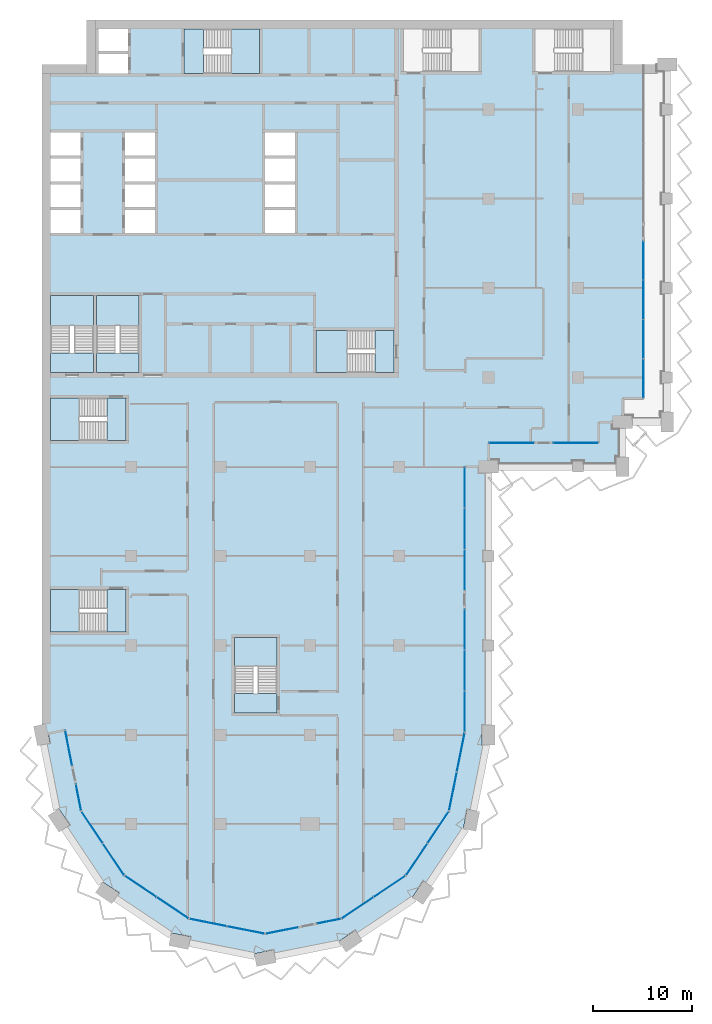
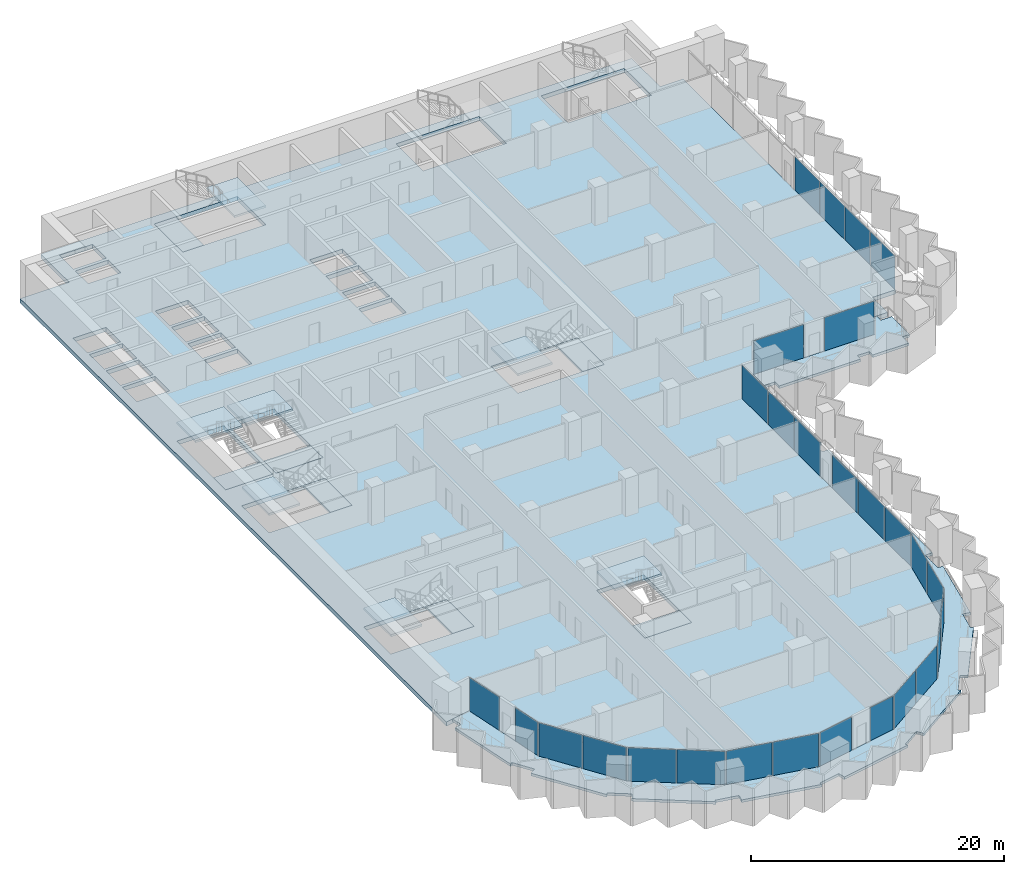
# One storey, part 6 of 22: 28 plates, 17 slabs, 22 elements without a shape of their own.
"""IFC4 building model written with IfcOpenShell, lengths in metres."""

from ifc_helpers import new_model, si_unit, direction, frame, origin, origin_2d, place, context, subcontext, project, spatial, polyline, rectangle, outline, extrude, material, layer, layer_set, type_object, element, aggregate, save


model = new_model("IFC4")

# Units and contexts
model_context = context("Model", 3, precision=1e-05, world=origin(), true_north=direction((0.0, 1.0)))
body_context = subcontext(model_context, "Body", "Model", "MODEL_VIEW")
ifc_project = project(units=[si_unit("LENGTHUNIT", "METRE"), si_unit("AREAUNIT", "SQUARE_METRE"), si_unit("VOLUMEUNIT", "CUBIC_METRE"), si_unit("PLANEANGLEUNIT", "RADIAN"), si_unit("MASSUNIT", "GRAM", prefix="KILO")], contexts=[model_context])

# Site, building, storey
site_placement = place(None, origin())
site = spatial("IfcSite", under=ifc_project, at=site_placement, CompositionType="ELEMENT")
building_placement = place(site_placement, origin())
building = spatial("IfcBuilding", under=site, at=building_placement, Name="Hunhe Ridgeline Campus", CompositionType="ELEMENT")
storey_placement = place(building_placement, frame((0.0, 0.0, 156.0)))
storey = spatial("IfcBuildingStorey", under=building, at=storey_placement, Name="L39", CompositionType="ELEMENT", Elevation=156.0)

# Curtain wall, plate
ifc_material_1 = material(Name="Aluminium 6063", Category="aluminium")
curtain_wall_type_1 = type_object("IfcCurtainWallType", Name="Curtain wall CW-5", PredefinedType="NOTDEFINED", material=ifc_material_1)
curtain_wall_1_placement = place(storey_placement, origin())
curtain_wall_1 = element("IfcCurtainWall", 1, at=curtain_wall_1_placement, inside=storey, type_object=curtain_wall_type_1, Name="Curtain wall 01", PredefinedType="NOTDEFINED")
ifc_material_2 = material(Name="Low-e laminated glass", Category="glass")
ifc_layer_1 = layer(ifc_material_2, 0.028076171875)
ifc_layer_set_1 = layer_set([ifc_layer_1], Name="Curtain wall glass panel 28 low-e laminated")
plate_type = type_object("IfcPlateType", Name="Curtain wall glass panel 28 low-e laminated", PredefinedType="CURTAIN_PANEL", material=ifc_layer_set_1)
plate_1_placement = place(storey_placement, frame((2.7158203125, 25.65380859375, 0.0), z_axis=(0.0, 0.0, 1.0), x_axis=(0.195095326561, -0.980784284924, 0.0)))
plate_1 = element("IfcPlate", 2, at=plate_1_placement, type_object=plate_type, Name="CW-5 panel 1", PredefinedType="CURTAIN_PANEL", context=body_context, shape_type="SweptSolid", body=[
    extrude(rectangle(XDim=3.560791015625, YDim=0.028076171875, at=origin_2d()), origin(), (0.0, 0.0, 1.0), 3.22998046875),
])
aggregate(curtain_wall_1, [plate_1])

curtain_wall_2_placement = place(storey_placement, origin())
curtain_wall_2 = element("IfcCurtainWall", 3, at=curtain_wall_2_placement, inside=storey, type_object=curtain_wall_type_1, Name="Curtain wall 02", PredefinedType="NOTDEFINED")
plate_2_placement = place(storey_placement, frame((3.701171875, 20.699951171875, 0.0), z_axis=(0.0, 0.0, 1.0), x_axis=(0.195095265587, -0.980784297053, 0.0)))
plate_2 = element("IfcPlate", 4, at=plate_2_placement, type_object=plate_type, Name="CW-5 panel 1", PredefinedType="CURTAIN_PANEL", context=body_context, shape_type="SweptSolid", body=[
    extrude(rectangle(XDim=2.660888671875, YDim=0.028076171875, at=origin_2d()), origin(), (0.0, 0.0, 1.0), 3.22998046875),
])
aggregate(curtain_wall_2, [plate_2])

# Curtain wall, plates
curtain_wall_3_placement = place(storey_placement, origin())
curtain_wall_3 = element("IfcCurtainWall", 5, at=curtain_wall_3_placement, inside=storey, type_object=curtain_wall_type_1, Name="Curtain wall 03", PredefinedType="NOTDEFINED")
plate_3_placement = place(storey_placement, frame((5.07080078125, 17.685546875, 0.0), z_axis=(0.0, 0.0, 1.0), x_axis=(0.555570274596, -0.831469584522, 0.0)))
plate_3 = element("IfcPlate", 6, at=plate_3_placement, type_object=plate_type, Name="CW-5 panel 1", PredefinedType="CURTAIN_PANEL", context=body_context, shape_type="SweptSolid", body=[
    extrude(rectangle(XDim=3.806884765625, YDim=0.028076171875, at=origin_2d()), origin(), (0.0, 0.0, 1.0), 3.22998046875),
])
plate_4_placement = place(storey_placement, frame((7.224609375, 14.4619140625, 0.0), z_axis=(0.0, 0.0, 1.0), x_axis=(0.555570274596, -0.831469584522, 0.0)))
plate_4 = element("IfcPlate", 7, at=plate_4_placement, type_object=plate_type, Name="CW-5 panel 2", PredefinedType="CURTAIN_PANEL", context=body_context, shape_type="SweptSolid", body=[
    extrude(rectangle(XDim=3.806884765625, YDim=0.028076171875, at=origin_2d()), origin(), (0.0, 0.0, 1.0), 3.22998046875),
])
aggregate(curtain_wall_3, [plate_3, plate_4])

curtain_wall_4_placement = place(storey_placement, origin())
curtain_wall_4 = element("IfcCurtainWall", 8, at=curtain_wall_4_placement, inside=storey, type_object=curtain_wall_type_1, Name="Curtain wall 04", PredefinedType="NOTDEFINED")
plate_5_placement = place(storey_placement, frame((9.9619140625, 11.724609375, 0.0), z_axis=(0.0, 0.0, 1.0), x_axis=(0.831469584522, -0.555570274596, 0.0)))
plate_5 = element("IfcPlate", 9, at=plate_5_placement, type_object=plate_type, Name="CW-5 panel 1", PredefinedType="CURTAIN_PANEL", context=body_context, shape_type="SweptSolid", body=[
    extrude(rectangle(XDim=3.806884765625, YDim=0.028076171875, at=origin_2d()), origin(), (0.0, 0.0, 1.0), 3.22998046875),
])
plate_6_placement = place(storey_placement, frame((13.185546875, 9.57080078125, 0.0), z_axis=(0.0, 0.0, 1.0), x_axis=(0.831469584522, -0.555570274596, 0.0)))
plate_6 = element("IfcPlate", 10, at=plate_6_placement, type_object=plate_type, Name="CW-5 panel 2", PredefinedType="CURTAIN_PANEL", context=body_context, shape_type="SweptSolid", body=[
    extrude(rectangle(XDim=3.806884765625, YDim=0.028076171875, at=origin_2d()), origin(), (0.0, 0.0, 1.0), 3.22998046875),
])
aggregate(curtain_wall_4, [plate_5, plate_6])

curtain_wall_5_placement = place(storey_placement, origin())
curtain_wall_5 = element("IfcCurtainWall", 11, at=curtain_wall_5_placement, inside=storey, type_object=curtain_wall_type_1, Name="Curtain wall 05", PredefinedType="NOTDEFINED")
plate_7_placement = place(storey_placement, frame((16.761962890625, 8.08935546875, 0.0), z_axis=(0.0, 0.0, 1.0), x_axis=(0.980785275326, -0.195090347539, 0.0)))
plate_7 = element("IfcPlate", 12, at=plate_7_placement, type_object=plate_type, Name="CW-5 panel 1", PredefinedType="CURTAIN_PANEL", context=body_context, shape_type="SweptSolid", body=[
    extrude(rectangle(XDim=3.806884765625, YDim=0.028076171875, at=origin_2d()), origin(), (0.0, 0.0, 1.0), 3.22998046875),
])
plate_8_placement = place(storey_placement, frame((20.564453125, 7.3330078125, 0.0), z_axis=(0.0, 0.0, 1.0), x_axis=(0.980785275326, -0.195090347539, 0.0)))
plate_8 = element("IfcPlate", 13, at=plate_8_placement, type_object=plate_type, Name="CW-5 panel 2", PredefinedType="CURTAIN_PANEL", context=body_context, shape_type="SweptSolid", body=[
    extrude(rectangle(XDim=3.806884765625, YDim=0.028076171875, at=origin_2d()), origin(), (0.0, 0.0, 1.0), 3.22998046875),
])
aggregate(curtain_wall_5, [plate_7, plate_8])

# Curtain wall, plate
curtain_wall_6_placement = place(storey_placement, origin())
curtain_wall_6 = element("IfcCurtainWall", 14, at=curtain_wall_6_placement, inside=storey, type_object=curtain_wall_type_1, Name="Curtain wall 06", PredefinedType="NOTDEFINED")
plate_9_placement = place(storey_placement, frame((24.19775390625, 7.28564453125, 0.0), z_axis=(0.0, 0.0, 1.0), x_axis=(0.980785270791, 0.19509037034, 0.0)))
plate_9 = element("IfcPlate", 15, at=plate_9_placement, type_object=plate_type, Name="CW-5 panel 1", PredefinedType="CURTAIN_PANEL", context=body_context, shape_type="SweptSolid", body=[
    extrude(rectangle(XDim=3.322021484375, YDim=0.028076171875, at=origin_2d()), origin(), (0.0, 0.0, 1.0), 3.22998046875),
])
aggregate(curtain_wall_6, [plate_9])

curtain_wall_7_placement = place(storey_placement, origin())
curtain_wall_7 = element("IfcCurtainWall", 16, at=curtain_wall_7_placement, inside=storey, type_object=curtain_wall_type_1, Name="Curtain wall 07", PredefinedType="NOTDEFINED")
plate_10_placement = place(storey_placement, frame((28.917236328125, 8.224609375, 0.0), z_axis=(0.0, 0.0, 1.0), x_axis=(0.980785242091, 0.195090514627, 0.0)))
plate_10 = element("IfcPlate", 17, at=plate_10_placement, type_object=plate_type, Name="CW-5 panel 1", PredefinedType="CURTAIN_PANEL", context=body_context, shape_type="SweptSolid", body=[
    extrude(rectangle(XDim=2.421875, YDim=0.028076171875, at=origin_2d()), origin(), (0.0, 0.0, 1.0), 3.22998046875),
])
aggregate(curtain_wall_7, [plate_10])

# Curtain wall, plates
curtain_wall_8_placement = place(storey_placement, origin())
curtain_wall_8 = element("IfcCurtainWall", 18, at=curtain_wall_8_placement, inside=storey, type_object=curtain_wall_type_1, Name="Curtain wall 08", PredefinedType="NOTDEFINED")
plate_11_placement = place(storey_placement, frame((31.814453125, 9.57080078125, 0.0), z_axis=(0.0, 0.0, 1.0), x_axis=(0.831469584522, 0.555570274596, 0.0)))
plate_11 = element("IfcPlate", 19, at=plate_11_placement, type_object=plate_type, Name="CW-5 panel 1", PredefinedType="CURTAIN_PANEL", context=body_context, shape_type="SweptSolid", body=[
    extrude(rectangle(XDim=3.806884765625, YDim=0.028076171875, at=origin_2d()), origin(), (0.0, 0.0, 1.0), 3.22998046875),
])
plate_12_placement = place(storey_placement, frame((35.0380859375, 11.724609375, 0.0), z_axis=(0.0, 0.0, 1.0), x_axis=(0.831469584522, 0.555570274596, 0.0)))
plate_12 = element("IfcPlate", 20, at=plate_12_placement, type_object=plate_type, Name="CW-5 panel 2", PredefinedType="CURTAIN_PANEL", context=body_context, shape_type="SweptSolid", body=[
    extrude(rectangle(XDim=3.806884765625, YDim=0.028076171875, at=origin_2d()), origin(), (0.0, 0.0, 1.0), 3.22998046875),
])
aggregate(curtain_wall_8, [plate_11, plate_12])

curtain_wall_9_placement = place(storey_placement, origin())
curtain_wall_9 = element("IfcCurtainWall", 21, at=curtain_wall_9_placement, inside=storey, type_object=curtain_wall_type_1, Name="Curtain wall 09", PredefinedType="NOTDEFINED")
plate_13_placement = place(storey_placement, frame((37.775390625, 14.4619140625, 0.0), z_axis=(0.0, 0.0, 1.0), x_axis=(0.555570274596, 0.831469584522, 0.0)))
plate_13 = element("IfcPlate", 22, at=plate_13_placement, type_object=plate_type, Name="CW-5 panel 1", PredefinedType="CURTAIN_PANEL", context=body_context, shape_type="SweptSolid", body=[
    extrude(rectangle(XDim=3.806884765625, YDim=0.028076171875, at=origin_2d()), origin(), (0.0, 0.0, 1.0), 3.22998046875),
])
plate_14_placement = place(storey_placement, frame((39.92919921875, 17.685546875, 0.0), z_axis=(0.0, 0.0, 1.0), x_axis=(0.555570274596, 0.831469584522, 0.0)))
plate_14 = element("IfcPlate", 23, at=plate_14_placement, type_object=plate_type, Name="CW-5 panel 2", PredefinedType="CURTAIN_PANEL", context=body_context, shape_type="SweptSolid", body=[
    extrude(rectangle(XDim=3.806884765625, YDim=0.028076171875, at=origin_2d()), origin(), (0.0, 0.0, 1.0), 3.22998046875),
])
aggregate(curtain_wall_9, [plate_13, plate_14])

curtain_wall_10_placement = place(storey_placement, origin())
curtain_wall_10 = element("IfcCurtainWall", 24, at=curtain_wall_10_placement, inside=storey, type_object=curtain_wall_type_1, Name="Curtain wall 10", PredefinedType="NOTDEFINED")
plate_15_placement = place(storey_placement, frame((41.42236328125, 21.321044921875, 0.0), z_axis=(0.0, 0.0, 1.0), x_axis=(0.195090299215, 0.980785284939, 0.0)))
plate_15 = element("IfcPlate", 25, at=plate_15_placement, type_object=plate_type, Name="CW-5 panel 1", PredefinedType="CURTAIN_PANEL", context=body_context, shape_type="SweptSolid", body=[
    extrude(rectangle(XDim=3.927490234375, YDim=0.028076171875, at=origin_2d()), origin(), (0.0, 0.0, 1.0), 3.22998046875),
])
plate_16_placement = place(storey_placement, frame((42.2021484375, 25.24169921875, 0.0), z_axis=(0.0, 0.0, 1.0), x_axis=(0.195090299215, 0.980785284939, 0.0)))
plate_16 = element("IfcPlate", 26, at=plate_16_placement, type_object=plate_type, Name="CW-5 panel 2", PredefinedType="CURTAIN_PANEL", context=body_context, shape_type="SweptSolid", body=[
    extrude(rectangle(XDim=3.927490234375, YDim=0.028076171875, at=origin_2d()), origin(), (0.0, 0.0, 1.0), 3.22998046875),
])
aggregate(curtain_wall_10, [plate_15, plate_16])

curtain_wall_type_2 = type_object("IfcCurtainWallType", Name="Curtain wall CW-1", PredefinedType="NOTDEFINED", material=ifc_material_1)
curtain_wall_11_placement = place(storey_placement, origin())
curtain_wall_11 = element("IfcCurtainWall", 27, at=curtain_wall_11_placement, inside=storey, type_object=curtain_wall_type_2, Name="Curtain wall 11", PredefinedType="NOTDEFINED")
plate_17_placement = place(storey_placement, frame((42.59912109375, 29.331787109375, 0.0), z_axis=(0.0, 0.0, 1.0), x_axis=(4.406345e-06, 0.99999999999, 0.0)))
plate_17 = element("IfcPlate", 28, at=plate_17_placement, type_object=plate_type, Name="CW-1 panel 1", PredefinedType="CURTAIN_PANEL", context=body_context, shape_type="SweptSolid", body=[
    extrude(rectangle(XDim=4.070556640625, YDim=0.028076171875, at=origin_2d()), origin(), (0.0, 0.0, 1.0), 3.239990234375),
])
plate_18_placement = place(storey_placement, frame((42.59912109375, 33.4775390625, 0.0), z_axis=(0.0, 0.0, 1.0), x_axis=(4.406345e-06, 0.99999999999, 0.0)))
plate_18 = element("IfcPlate", 29, at=plate_18_placement, type_object=plate_type, Name="CW-1 panel 2", PredefinedType="CURTAIN_PANEL", context=body_context, shape_type="SweptSolid", body=[
    extrude(rectangle(XDim=4.1005859375, YDim=0.028076171875, at=origin_2d()), origin(), (0.0, 0.0, 1.0), 3.239990234375),
])
plate_19_placement = place(storey_placement, frame((42.59912109375, 37.623046875, 0.0), z_axis=(0.0, 0.0, 1.0), x_axis=(4.406345e-06, 0.99999999999, 0.0)))
plate_19 = element("IfcPlate", 30, at=plate_19_placement, type_object=plate_type, Name="CW-1 panel 3", PredefinedType="CURTAIN_PANEL", context=body_context, shape_type="SweptSolid", body=[
    extrude(rectangle(XDim=4.070556640625, YDim=0.028076171875, at=origin_2d()), origin(), (0.0, 0.0, 1.0), 3.239990234375),
])
aggregate(curtain_wall_11, [plate_17, plate_18, plate_19])

curtain_wall_12_placement = place(storey_placement, origin())
curtain_wall_12 = element("IfcCurtainWall", 31, at=curtain_wall_12_placement, inside=storey, type_object=curtain_wall_type_2, Name="Curtain wall 12", PredefinedType="NOTDEFINED")
plate_20_placement = place(storey_placement, frame((42.59912109375, 43.61376953125, 0.0), z_axis=(0.0, 0.0, 1.0), x_axis=(4.406345e-06, 0.99999999999, 0.0)))
plate_20 = element("IfcPlate", 32, at=plate_20_placement, type_object=plate_type, Name="CW-1 panel 1", PredefinedType="CURTAIN_PANEL", context=body_context, shape_type="SweptSolid", body=[
    extrude(rectangle(XDim=4.070556640625, YDim=0.028076171875, at=origin_2d()), origin(), (0.0, 0.0, 1.0), 3.239990234375),
])
plate_21_placement = place(storey_placement, frame((42.59912109375, 47.759521484375, 0.0), z_axis=(0.0, 0.0, 1.0), x_axis=(4.406345e-06, 0.99999999999, 0.0)))
plate_21 = element("IfcPlate", 33, at=plate_21_placement, type_object=plate_type, Name="CW-1 panel 2", PredefinedType="CURTAIN_PANEL", context=body_context, shape_type="SweptSolid", body=[
    extrude(rectangle(XDim=4.1005859375, YDim=0.028076171875, at=origin_2d()), origin(), (0.0, 0.0, 1.0), 3.239990234375),
])
plate_22_placement = place(storey_placement, frame((42.59912109375, 51.905029296875, 0.0), z_axis=(0.0, 0.0, 1.0), x_axis=(4.406345e-06, 0.99999999999, 0.0)))
plate_22 = element("IfcPlate", 34, at=plate_22_placement, type_object=plate_type, Name="CW-1 panel 3", PredefinedType="CURTAIN_PANEL", context=body_context, shape_type="SweptSolid", body=[
    extrude(rectangle(XDim=4.070556640625, YDim=0.028076171875, at=origin_2d()), origin(), (0.0, 0.0, 1.0), 3.239990234375),
])
aggregate(curtain_wall_12, [plate_20, plate_21, plate_22])

# Curtain wall, plate
curtain_wall_13_placement = place(storey_placement, origin())
curtain_wall_13 = element("IfcCurtainWall", 35, at=curtain_wall_13_placement, inside=storey, type_object=curtain_wall_type_2, Name="Curtain wall 13", PredefinedType="NOTDEFINED")
plate_23_placement = place(storey_placement, frame((47.32470703125, 56.40087890625, 0.0), z_axis=(0.0, 0.0, 1.0), x_axis=(0.999999999999, 1.72058e-06, 0.0)))
plate_23 = element("IfcPlate", 36, at=plate_23_placement, type_object=plate_type, Name="CW-1 panel 1", PredefinedType="CURTAIN_PANEL", context=body_context, shape_type="SweptSolid", body=[
    extrude(rectangle(XDim=4.529541015625, YDim=0.028076171875, at=origin_2d()), origin(), (0.0, 0.0, 1.0), 3.239990234375),
])
aggregate(curtain_wall_13, [plate_23])

curtain_wall_14_placement = place(storey_placement, origin())
curtain_wall_14 = element("IfcCurtainWall", 37, at=curtain_wall_14_placement, inside=storey, type_object=curtain_wall_type_2, Name="Curtain wall 14", PredefinedType="NOTDEFINED")
plate_24_placement = place(storey_placement, frame((53.774169921875, 56.40087890625, 0.0), z_axis=(0.0, 0.0, 1.0), x_axis=(0.999999999999, 1.72058e-06, 0.0)))
plate_24 = element("IfcPlate", 38, at=plate_24_placement, type_object=plate_type, Name="CW-1 panel 1", PredefinedType="CURTAIN_PANEL", context=body_context, shape_type="SweptSolid", body=[
    extrude(rectangle(XDim=4.529541015625, YDim=0.028076171875, at=origin_2d()), origin(), (0.0, 0.0, 1.0), 3.239990234375),
])
aggregate(curtain_wall_14, [plate_24])

# Curtain wall, plates
curtain_wall_15_placement = place(storey_placement, origin())
curtain_wall_15 = element("IfcCurtainWall", 39, at=curtain_wall_15_placement, inside=storey, type_object=curtain_wall_type_2, Name="Curtain wall 15", PredefinedType="NOTDEFINED")
plate_25_placement = place(storey_placement, frame((60.59912109375, 62.9033203125, 0.0), z_axis=(0.0, 0.0, 1.0), x_axis=(0.0, 1.0, 0.0)))
plate_25 = element("IfcPlate", 40, at=plate_25_placement, type_object=plate_type, Name="CW-1 panel 1", PredefinedType="CURTAIN_PANEL", context=body_context, shape_type="SweptSolid", body=[
    extrude(rectangle(XDim=3.884765625, YDim=0.028076171875, at=origin_2d()), origin(), (0.0, 0.0, 1.0), 3.239990234375),
])
plate_26_placement = place(storey_placement, frame((60.59912109375, 66.86328125, 0.0), z_axis=(0.0, 0.0, 1.0), x_axis=(0.0, 1.0, 0.0)))
plate_26 = element("IfcPlate", 41, at=plate_26_placement, type_object=plate_type, Name="CW-1 panel 2", PredefinedType="CURTAIN_PANEL", context=body_context, shape_type="SweptSolid", body=[
    extrude(rectangle(XDim=3.914794921875, YDim=0.028076171875, at=origin_2d()), origin(), (0.0, 0.0, 1.0), 3.239990234375),
])
plate_27_placement = place(storey_placement, frame((60.59912109375, 70.838134765625, 0.0), z_axis=(0.0, 0.0, 1.0), x_axis=(0.0, 1.0, 0.0)))
plate_27 = element("IfcPlate", 42, at=plate_27_placement, type_object=plate_type, Name="CW-1 panel 3", PredefinedType="CURTAIN_PANEL", context=body_context, shape_type="SweptSolid", body=[
    extrude(rectangle(XDim=3.914794921875, YDim=0.028076171875, at=origin_2d()), origin(), (0.0, 0.0, 1.0), 3.239990234375),
])
plate_28_placement = place(storey_placement, frame((60.59912109375, 74.798095703125, 0.0), z_axis=(0.0, 0.0, 1.0), x_axis=(0.0, 1.0, 0.0)))
plate_28 = element("IfcPlate", 43, at=plate_28_placement, type_object=plate_type, Name="CW-1 panel 4", PredefinedType="CURTAIN_PANEL", context=body_context, shape_type="SweptSolid", body=[
    extrude(rectangle(XDim=3.884765625, YDim=0.028076171875, at=origin_2d()), origin(), (0.0, 0.0, 1.0), 3.239990234375),
])
aggregate(curtain_wall_15, [plate_25, plate_26, plate_27, plate_28])

# Slabs
ifc_material_3 = material(Name="Concrete C40", Category="concrete")
ifc_layer_2 = layer(ifc_material_3, 0.39990234375)
ifc_layer_set_2 = layer_set([ifc_layer_2], Name="Floor slab 400 Concrete C40")
slab_type_1 = type_object("IfcSlabType", Name="Floor slab 400 Concrete C40", PredefinedType="FLOOR", material=ifc_layer_set_2)
slab_1_placement = place(storey_placement, frame((0.0, 0.0, -0.39990234375)))
element("IfcSlab", 44, at=slab_1_placement, inside=storey, type_object=slab_type_1, Name="Floor slab L39 1", PredefinedType="FLOOR", context=body_context, shape_type="SweptSolid", body=[
    extrude(outline(polyline([(2.354736328125, 27.46875), (3.974365234375, 19.326416015625), (8.321044921875, 12.821044921875), (14.826416015625, 8.474365234375), (22.5, 6.947998046875), (30.173583984375, 8.474365234375), (36.678955078125, 12.821044921875), (41.025634765625, 19.326416015625), (42.59912109375, 27.236572265625), (42.59912109375, 54.00048828125), (44.9990234375, 54.0009765625), (44.999755859375, 56.40087890625), (56.09912109375, 56.40087890625), (56.099365234375, 58.500732421875), (58.4990234375, 58.5009765625), (58.499267578125, 60.900634765625), (60.59912109375, 60.90087890625), (60.59912109375, 94.5), (58.5, 94.5), (58.5, 99.0), (4.5, 99.0), (4.5, 94.5), (0.0, 94.5), (0.0, 27.0009765625), (2.354736328125, 27.46875)]), holes=[polyline([(49.699951171875, 93.800048828125), (57.300048828125, 93.800048828125), (57.300048828125, 98.10009765625), (49.699951171875, 98.10009765625), (49.699951171875, 93.800048828125)]), polyline([(44.050048828125, 93.800048828125), (44.050048828125, 98.10009765625), (36.449951171875, 98.10009765625), (36.449951171875, 93.800048828125), (44.050048828125, 93.800048828125)]), polyline([(35.5, 67.75), (27.60009765625, 67.75), (27.60009765625, 63.5), (35.5, 63.5), (35.5, 67.75)]), polyline([(25.5, 82.75), (25.5, 85.050048828125), (22.5, 85.050048828125), (22.5, 82.75), (25.5, 82.75)]), polyline([(25.5, 82.449951171875), (22.5, 82.449951171875), (22.5, 80.14990234375), (25.5, 80.14990234375), (25.5, 82.449951171875)]), polyline([(22.5, 85.35009765625), (25.5, 85.35009765625), (25.5, 87.64990234375), (22.5, 87.64990234375), (22.5, 85.35009765625)]), polyline([(22.5, 79.85009765625), (22.5, 77.550048828125), (25.5, 77.550048828125), (25.5, 79.85009765625), (22.5, 79.85009765625)]), polyline([(19.39990234375, 29.199951171875), (23.699951171875, 29.199951171875), (23.699951171875, 36.800048828125), (19.39990234375, 36.800048828125), (19.39990234375, 29.199951171875)]), polyline([(21.949951171875, 93.60009765625), (21.949951171875, 98.10009765625), (14.35009765625, 98.10009765625), (14.35009765625, 93.60009765625), (21.949951171875, 93.60009765625)]), polyline([(8.39990234375, 79.85009765625), (8.39990234375, 77.550048828125), (11.39990234375, 77.550048828125), (11.39990234375, 79.85009765625), (8.39990234375, 79.85009765625)]), polyline([(8.39990234375, 85.35009765625), (11.39990234375, 85.35009765625), (11.39990234375, 87.64990234375), (8.39990234375, 87.64990234375), (8.39990234375, 85.35009765625)]), polyline([(11.39990234375, 82.449951171875), (8.39990234375, 82.449951171875), (8.39990234375, 80.14990234375), (11.39990234375, 80.14990234375), (11.39990234375, 82.449951171875)]), polyline([(11.39990234375, 82.75), (11.39990234375, 85.050048828125), (8.39990234375, 85.050048828125), (8.39990234375, 82.75), (11.39990234375, 82.75)]), polyline([(5.5, 71.25), (5.5, 63.5), (9.800048828125, 63.5), (9.800048828125, 71.25), (5.5, 71.25)]), polyline([(8.699951171875, 98.10009765625), (5.699951171875, 98.10009765625), (5.699951171875, 95.89990234375), (8.699951171875, 95.89990234375), (8.699951171875, 98.10009765625)]), polyline([(5.699951171875, 95.60009765625), (5.699951171875, 93.60009765625), (8.699951171875, 93.60009765625), (8.699951171875, 95.60009765625), (5.699951171875, 95.60009765625)]), polyline([(0.89990234375, 60.949951171875), (0.89990234375, 56.64990234375), (8.5, 56.64990234375), (8.5, 60.949951171875), (0.89990234375, 60.949951171875)]), polyline([(0.89990234375, 37.35009765625), (8.5, 37.35009765625), (8.5, 41.64990234375), (0.89990234375, 41.64990234375), (0.89990234375, 37.35009765625)]), polyline([(0.89990234375, 63.5), (5.199951171875, 63.5), (5.199951171875, 71.25), (0.89990234375, 71.25), (0.89990234375, 63.5)]), polyline([(3.89990234375, 82.75), (3.89990234375, 85.050048828125), (0.89990234375, 85.050048828125), (0.89990234375, 82.75), (3.89990234375, 82.75)]), polyline([(3.89990234375, 82.449951171875), (0.89990234375, 82.449951171875), (0.89990234375, 80.14990234375), (3.89990234375, 80.14990234375), (3.89990234375, 82.449951171875)]), polyline([(0.89990234375, 85.35009765625), (3.89990234375, 85.35009765625), (3.89990234375, 87.64990234375), (0.89990234375, 87.64990234375), (0.89990234375, 85.35009765625)]), polyline([(0.89990234375, 79.85009765625), (0.89990234375, 77.550048828125), (3.89990234375, 77.550048828125), (3.89990234375, 79.85009765625), (0.89990234375, 79.85009765625)])]), origin(), (0.0, 0.0, 1.0), 0.39990234375),
])
ifc_layer_3 = layer(ifc_material_3, 0.25)
ifc_layer_set_3 = layer_set([ifc_layer_3], Name="Loggia slab 250 Concrete C40")
slab_type_2 = type_object("IfcSlabType", Name="Loggia slab 250 Concrete C40", PredefinedType="FLOOR", material=ifc_layer_set_3)
slab_2_placement = place(storey_placement, frame((0.0, 0.0, -0.25)))
element("IfcSlab", 45, at=slab_2_placement, inside=storey, type_object=slab_type_2, Name="Loggia slab 1", PredefinedType="FLOOR", context=body_context, shape_type="SweptSolid", body=[
    extrude(outline(polyline([(30.173828125, 8.473388671875), (22.5, 6.947021484375), (14.826171875, 8.473388671875), (8.3203125, 12.8203125), (3.973388671875, 19.326171875), (2.35400390625, 27.46826171875), (0.637451171875, 27.126708984375), (0.83251953125, 26.14599609375), (0.195068359375, 26.019287109375), (1.50146484375, 19.451171875), (1.697509765625, 19.582275390625), (2.808837890625, 17.919189453125), (2.268310546875, 17.55810546875), (5.98876953125, 11.989990234375), (6.11962890625, 12.18603515625), (7.78271484375, 11.074951171875), (7.421630859375, 10.534423828125), (12.98974609375, 6.81396484375), (13.03564453125, 7.04541015625), (14.997314453125, 6.655029296875), (14.870361328125, 6.017578125), (21.4384765625, 4.711181640625), (21.392333984375, 4.9423828125), (23.35400390625, 5.33251953125), (23.480712890625, 4.695068359375), (30.048828125, 6.00146484375), (29.917724609375, 6.197509765625), (31.580810546875, 7.308837890625), (31.94189453125, 6.768310546875), (37.510009765625, 10.48876953125), (37.31396484375, 10.61962890625), (38.425048828125, 12.28271484375), (38.965576171875, 11.921630859375), (42.68603515625, 17.48974609375), (42.45458984375, 17.53564453125), (42.844970703125, 19.497314453125), (43.482421875, 19.370361328125), (44.801025390625, 26.0), (44.35009765625, 26.0), (44.35009765625, 28.0), (45.0, 28.0), (45.0, 35.449951171875), (44.449951171875, 35.449951171875), (44.449951171875, 36.550048828125), (45.0, 36.550048828125), (45.0, 44.449951171875), (44.449951171875, 44.449951171875), (44.449951171875, 45.550048828125), (45.0, 45.550048828125), (45.0, 53.35009765625), (44.0, 53.35009765625), (44.0, 54.0), (42.60009765625, 54.0), (42.60009765625, 27.236328125), (41.026611328125, 19.326171875), (36.6796875, 12.8203125), (30.173828125, 8.473388671875)])), origin(), (0.0, 0.0, 1.0), 0.25),
])
slab_3_placement = place(storey_placement, frame((0.0, 0.0, -0.25)))
element("IfcSlab", 46, at=slab_3_placement, inside=storey, type_object=slab_type_2, Name="Loggia slab 2", PredefinedType="FLOOR", context=body_context, shape_type="SweptSolid", body=[
    extrude(outline(polyline([(45.0, 54.64990234375), (46.0, 54.64990234375), (46.0, 54.0), (53.449951171875, 54.0), (53.449951171875, 54.550048828125), (54.550048828125, 54.550048828125), (54.550048828125, 54.0), (57.85009765625, 54.0), (57.85009765625, 55.0), (58.5, 55.0), (58.5, 57.85009765625), (57.5, 57.85009765625), (57.5, 58.5), (56.10009765625, 58.5), (56.10009765625, 56.39990234375), (45.0, 56.39990234375), (45.0, 54.64990234375)])), origin(), (0.0, 0.0, 1.0), 0.25),
])

# Stair, slab
stair_type = type_object("IfcStairType", Name="Reinforced concrete dog-leg stair 1950 Concrete C40", PredefinedType="HALF_TURN_STAIR", material=ifc_material_3)
stair_1_placement = place(storey_placement, origin())
stair_1 = element("IfcStair", 47, at=stair_1_placement, inside=storey, type_object=stair_type, Name="L39 S1", PredefinedType="HALF_TURN_STAIR")
ifc_layer_4 = layer(ifc_material_3, 0.199951171875)
ifc_layer_set_4 = layer_set([ifc_layer_4], Name="Reinforced concrete stair landing 200 Concrete C40")
slab_type_3 = type_object("IfcSlabType", Name="Reinforced concrete stair landing 200 Concrete C40", PredefinedType="LANDING", material=ifc_layer_set_4)
slab_4_placement = place(storey_placement, frame((0.0, 0.0, 1.64990234375)))
slab_4 = element("IfcSlab", 48, at=slab_4_placement, type_object=slab_type_3, Name="ST1 landing 1", PredefinedType="LANDING", context=body_context, shape_type="SweptSolid", body=[
    extrude(outline(polyline([(19.10009765625, 93.60009765625), (21.949951171875, 93.60009765625), (21.949951171875, 98.10009765625), (19.10009765625, 98.10009765625), (19.10009765625, 93.60009765625)])), origin(), (0.0, 0.0, 1.0), 0.2001953125),
])
aggregate(stair_1, [slab_4])

# Slab
slab_5_placement = place(storey_placement, frame((0.0, 0.0, -0.199951171875)))
element("IfcSlab", 49, at=slab_5_placement, inside=storey, type_object=slab_type_3, Name="L39 stair S1 floor landing", PredefinedType="LANDING", context=body_context, shape_type="SweptSolid", body=[
    extrude(outline(polyline([(14.35009765625, 93.60009765625), (16.300048828125, 93.60009765625), (16.300048828125, 98.10009765625), (14.35009765625, 98.10009765625), (14.35009765625, 93.60009765625)])), origin(), (0.0, 0.0, 1.0), 0.199951171875),
])

# Stair, slab
stair_2_placement = place(storey_placement, origin())
stair_2 = element("IfcStair", 50, at=stair_2_placement, inside=storey, type_object=stair_type, Name="L39 S2", PredefinedType="HALF_TURN_STAIR")
slab_6_placement = place(storey_placement, frame((0.0, 0.0, 1.64990234375)))
slab_6 = element("IfcSlab", 51, at=slab_6_placement, type_object=slab_type_3, Name="ST2 landing 1", PredefinedType="LANDING", context=body_context, shape_type="SweptSolid", body=[
    extrude(outline(polyline([(30.75, 67.75), (27.60009765625, 67.75), (27.60009765625, 63.5), (30.75, 63.5), (30.75, 67.75)])), origin(), (0.0, 0.0, 1.0), 0.2001953125),
])
aggregate(stair_2, [slab_6])

# Slab
slab_7_placement = place(storey_placement, frame((0.0, 0.0, -0.199951171875)))
element("IfcSlab", 52, at=slab_7_placement, inside=storey, type_object=slab_type_3, Name="L39 stair S2 floor landing", PredefinedType="LANDING", context=body_context, shape_type="SweptSolid", body=[
    extrude(outline(polyline([(35.5, 67.75), (33.550048828125, 67.75), (33.550048828125, 63.5), (35.5, 63.5), (35.5, 67.75)])), origin(), (0.0, 0.0, 1.0), 0.199951171875),
])

# Stair, slab
stair_3_placement = place(storey_placement, origin())
stair_3 = element("IfcStair", 53, at=stair_3_placement, inside=storey, type_object=stair_type, Name="L39 S3", PredefinedType="HALF_TURN_STAIR")
slab_8_placement = place(storey_placement, frame((0.0, 0.0, 1.64990234375)))
slab_8 = element("IfcSlab", 54, at=slab_8_placement, type_object=slab_type_3, Name="ST3 landing 1", PredefinedType="LANDING", context=body_context, shape_type="SweptSolid", body=[
    extrude(outline(polyline([(5.199951171875, 68.25), (5.199951171875, 71.25), (0.89990234375, 71.25), (0.89990234375, 68.25), (5.199951171875, 68.25)])), origin(), (0.0, 0.0, 1.0), 0.2001953125),
])
aggregate(stair_3, [slab_8])

# Slab
slab_9_placement = place(storey_placement, frame((0.0, 0.0, -0.199951171875)))
element("IfcSlab", 55, at=slab_9_placement, inside=storey, type_object=slab_type_3, Name="L39 stair S3 floor landing", PredefinedType="LANDING", context=body_context, shape_type="SweptSolid", body=[
    extrude(outline(polyline([(5.199951171875, 63.5), (5.199951171875, 65.449951171875), (0.89990234375, 65.449951171875), (0.89990234375, 63.5), (5.199951171875, 63.5)])), origin(), (0.0, 0.0, 1.0), 0.199951171875),
])

# Stair, slab
stair_4_placement = place(storey_placement, origin())
stair_4 = element("IfcStair", 56, at=stair_4_placement, inside=storey, type_object=stair_type, Name="L39 S4", PredefinedType="HALF_TURN_STAIR")
slab_10_placement = place(storey_placement, frame((0.0, 0.0, 1.64990234375)))
slab_10 = element("IfcSlab", 57, at=slab_10_placement, type_object=slab_type_3, Name="ST4 landing 1", PredefinedType="LANDING", context=body_context, shape_type="SweptSolid", body=[
    extrude(outline(polyline([(9.800048828125, 68.25), (9.800048828125, 71.25), (5.5, 71.25), (5.5, 68.25), (9.800048828125, 68.25)])), origin(), (0.0, 0.0, 1.0), 0.2001953125),
])
aggregate(stair_4, [slab_10])

# Slab
slab_11_placement = place(storey_placement, frame((0.0, 0.0, -0.199951171875)))
element("IfcSlab", 58, at=slab_11_placement, inside=storey, type_object=slab_type_3, Name="L39 stair S4 floor landing", PredefinedType="LANDING", context=body_context, shape_type="SweptSolid", body=[
    extrude(outline(polyline([(9.800048828125, 63.5), (9.800048828125, 65.449951171875), (5.5, 65.449951171875), (5.5, 63.5), (9.800048828125, 63.5)])), origin(), (0.0, 0.0, 1.0), 0.199951171875),
])

# Stair, slab
stair_5_placement = place(storey_placement, origin())
stair_5 = element("IfcStair", 59, at=stair_5_placement, inside=storey, type_object=stair_type, Name="L39 W3", PredefinedType="HALF_TURN_STAIR")
slab_12_placement = place(storey_placement, frame((0.0, 0.0, 1.64990234375)))
slab_12 = element("IfcSlab", 60, at=slab_12_placement, type_object=slab_type_3, Name="ST9 landing 1", PredefinedType="LANDING", context=body_context, shape_type="SweptSolid", body=[
    extrude(outline(polyline([(23.699951171875, 33.949951171875), (23.699951171875, 36.800048828125), (19.39990234375, 36.800048828125), (19.39990234375, 33.949951171875), (23.699951171875, 33.949951171875)])), origin(), (0.0, 0.0, 1.0), 0.2001953125),
])
aggregate(stair_5, [slab_12])

# Slab
slab_13_placement = place(storey_placement, frame((0.0, 0.0, -0.199951171875)))
element("IfcSlab", 61, at=slab_13_placement, inside=storey, type_object=slab_type_3, Name="L39 stair W3 floor landing", PredefinedType="LANDING", context=body_context, shape_type="SweptSolid", body=[
    extrude(outline(polyline([(23.699951171875, 29.199951171875), (23.699951171875, 31.14990234375), (19.39990234375, 31.14990234375), (19.39990234375, 29.199951171875), (23.699951171875, 29.199951171875)])), origin(), (0.0, 0.0, 1.0), 0.199951171875),
])

# Stair, slab
stair_6_placement = place(storey_placement, origin())
stair_6 = element("IfcStair", 62, at=stair_6_placement, inside=storey, type_object=stair_type, Name="L39 W1", PredefinedType="HALF_TURN_STAIR")
slab_14_placement = place(storey_placement, frame((0.0, 0.0, 1.64990234375)))
slab_14 = element("IfcSlab", 63, at=slab_14_placement, type_object=slab_type_3, Name="ST11 landing 1", PredefinedType="LANDING", context=body_context, shape_type="SweptSolid", body=[
    extrude(outline(polyline([(3.75, 41.64990234375), (0.89990234375, 41.64990234375), (0.89990234375, 37.35009765625), (3.75, 37.35009765625), (3.75, 41.64990234375)])), origin(), (0.0, 0.0, 1.0), 0.2001953125),
])
aggregate(stair_6, [slab_14])

# Slab
slab_15_placement = place(storey_placement, frame((0.0, 0.0, -0.199951171875)))
element("IfcSlab", 64, at=slab_15_placement, inside=storey, type_object=slab_type_3, Name="L39 stair W1 floor landing", PredefinedType="LANDING", context=body_context, shape_type="SweptSolid", body=[
    extrude(outline(polyline([(8.5, 41.64990234375), (6.550048828125, 41.64990234375), (6.550048828125, 37.35009765625), (8.5, 37.35009765625), (8.5, 41.64990234375)])), origin(), (0.0, 0.0, 1.0), 0.199951171875),
])

# Stair, slab
stair_7_placement = place(storey_placement, origin())
stair_7 = element("IfcStair", 65, at=stair_7_placement, inside=storey, type_object=stair_type, Name="L39 W2", PredefinedType="HALF_TURN_STAIR")
slab_16_placement = place(storey_placement, frame((0.0, 0.0, 1.64990234375)))
slab_16 = element("IfcSlab", 66, at=slab_16_placement, type_object=slab_type_3, Name="ST12 landing 1", PredefinedType="LANDING", context=body_context, shape_type="SweptSolid", body=[
    extrude(outline(polyline([(3.75, 60.949951171875), (0.89990234375, 60.949951171875), (0.89990234375, 56.64990234375), (3.75, 56.64990234375), (3.75, 60.949951171875)])), origin(), (0.0, 0.0, 1.0), 0.2001953125),
])
aggregate(stair_7, [slab_16])

# Slab
slab_17_placement = place(storey_placement, frame((0.0, 0.0, -0.199951171875)))
element("IfcSlab", 67, at=slab_17_placement, inside=storey, type_object=slab_type_3, Name="L39 stair W2 floor landing", PredefinedType="LANDING", context=body_context, shape_type="SweptSolid", body=[
    extrude(outline(polyline([(8.5, 60.949951171875), (6.550048828125, 60.949951171875), (6.550048828125, 56.64990234375), (8.5, 56.64990234375), (8.5, 60.949951171875)])), origin(), (0.0, 0.0, 1.0), 0.199951171875),
])

save(model, "model.ifc")
